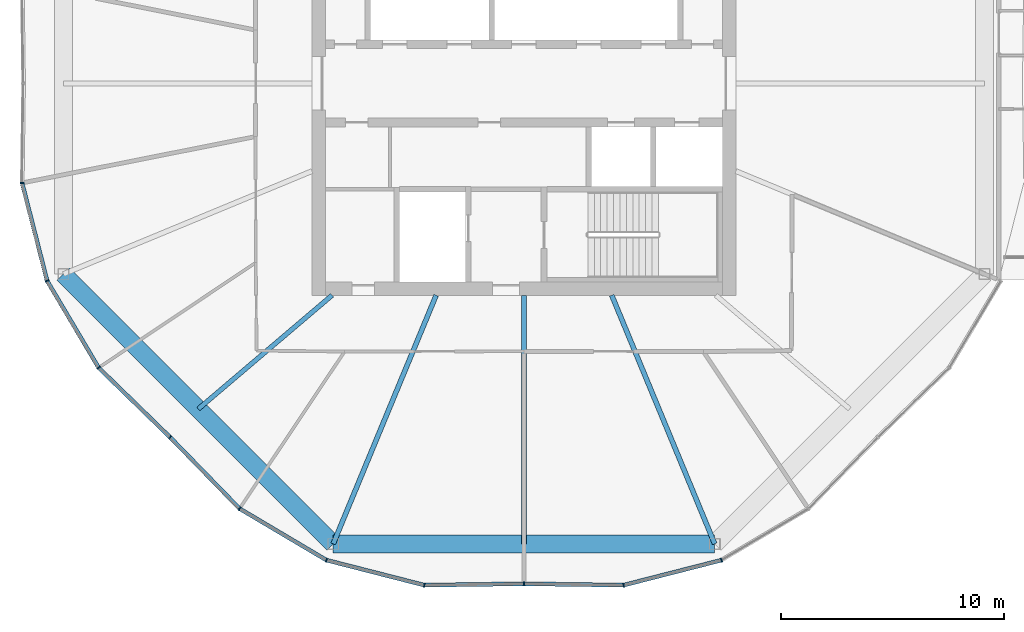
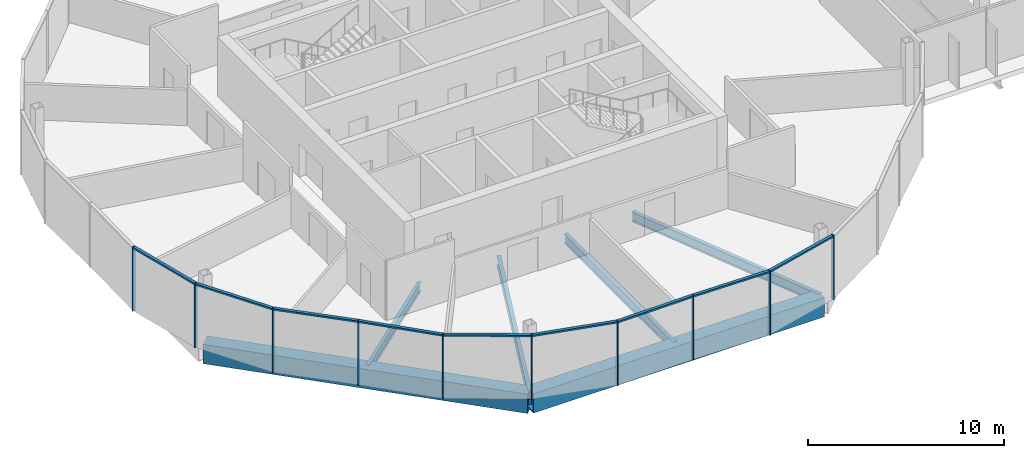
# One storey, part 3 of 26: 19 members, 6 beams, 3 elements without a shape of their own.
"""IFC4 building model written with IfcOpenShell, lengths in metres."""

from ifc_helpers import new_model, si_unit, direction, frame, origin, origin_2d, place, context, subcontext, project, spatial, rectangle, hollow_rectangle, i_section, extrude, material, material_profile, profile_set, type_object, element, aggregate, save


model = new_model("IFC4")

# Units and contexts
model_context = context("Model", 3, precision=1e-05, world=origin(), true_north=direction((0.0, 1.0)))
body_context = subcontext(model_context, "Body", "Model", "MODEL_VIEW")
ifc_project = project(units=[si_unit("LENGTHUNIT", "METRE"), si_unit("AREAUNIT", "SQUARE_METRE"), si_unit("VOLUMEUNIT", "CUBIC_METRE"), si_unit("PLANEANGLEUNIT", "RADIAN"), si_unit("MASSUNIT", "GRAM", prefix="KILO")], contexts=[model_context])

# Site, building, storey
site_placement = place(None, origin())
site = spatial("IfcSite", under=ifc_project, at=site_placement, CompositionType="ELEMENT")
building_placement = place(site_placement, origin())
building = spatial("IfcBuilding", under=site, at=building_placement, Name="Ogive Gate Towers", CompositionType="ELEMENT")
storey_placement = place(building_placement, frame((0.0, 0.0, 156.800048828125)))
storey = spatial("IfcBuildingStorey", under=building, at=storey_placement, Name="L37", CompositionType="ELEMENT", Elevation=156.800048828125)

# Beams
ifc_material_1 = material(Name="Steel SM460", Category="steel")
ifc_material_profile_1 = material_profile(ifc_material_1, hollow_rectangle(XDim=0.800048828125, YDim=1.199951171875, WallThickness=0.050048828125, at=origin_2d()), Name="BX 1200x800x50")
ifc_profile_set_1 = profile_set([ifc_material_profile_1], Name="Steel SM460")
beam_type_1 = type_object("IfcBeamType", Name="Edge girder BX 1200x800x50", PredefinedType="BEAM", material=ifc_profile_set_1)
beam_1_placement = place(storey_placement, frame((-56.639404296875, -8.549072265625, -0.900146484375), z_axis=(0.707106781187, -0.707106781187, 0.0), x_axis=(0.707106781187, 0.707106781187, 0.0)))
element("IfcBeam", 1, at=beam_1_placement, inside=storey, type_object=beam_type_1, Name="T1/L37/SBM017", PredefinedType="BEAM", context=body_context, shape_type="SweptSolid", body=[
    extrude(hollow_rectangle(XDim=0.800048828125, YDim=1.199951171875, WallThickness=0.050048828125, at=origin_2d()), origin(), (0.0, 0.0, 1.0), 17.098388671875),
])
beam_2_placement = place(storey_placement, frame((-44.549072265625, -20.639404296875, -0.900146484375), z_axis=(1.0, 0.0, 0.0), x_axis=(0.0, 1.0, 0.0)))
element("IfcBeam", 2, at=beam_2_placement, inside=storey, type_object=beam_type_1, Name="T1/L37/SBM018", PredefinedType="BEAM", context=body_context, shape_type="SweptSolid", body=[
    extrude(hollow_rectangle(XDim=0.800048828125, YDim=1.199951171875, WallThickness=0.050048828125, at=origin_2d()), origin(), (0.0, 0.0, 1.0), 17.09814453125),
])
ifc_material_2 = material(Name="Steel SM355", Category="steel")
ifc_material_profile_2 = material_profile(ifc_material_2, i_section(OverallWidth=0.2099609375, OverallDepth=0.550048828125, WebThickness=0.010986328125, FlangeThickness=0.01708984375, FilletRadius=0.02392578125, at=origin_2d()), Name="IPE 550")
ifc_profile_set_2 = profile_set([ifc_material_profile_2], Name="Steel SM355")
beam_type_2 = type_object("IfcBeamType", Name="Radial floor beam IPE 550", PredefinedType="BEAM", material=ifc_profile_set_2)
beam_3_placement = place(storey_placement, frame((-44.60009765625, -9.5, -0.574951171875), z_axis=(-0.761988324045, -0.647590761222, 0.0), x_axis=(0.647590761222, -0.761988324045, 0.0)))
element("IfcBeam", 3, at=beam_3_placement, inside=storey, type_object=beam_type_2, Name="T1/L37/SBM002", PredefinedType="BEAM", context=body_context, shape_type="SweptSolid", body=[
    extrude(i_section(OverallWidth=0.2099609375, OverallDepth=0.550048828125, WebThickness=0.010986328125, FlangeThickness=0.01708984375, FilletRadius=0.02392578125, at=origin_2d()), origin(), (0.0, 0.0, 1.0), 7.866455078125),
])
ifc_material_profile_3 = material_profile(ifc_material_2, i_section(OverallWidth=0.219970703125, OverallDepth=0.60009765625, WebThickness=0.011962890625, FlangeThickness=0.01904296875, FilletRadius=0.02392578125, at=origin_2d()), Name="IPE 600")
ifc_profile_set_3 = profile_set([ifc_material_profile_3], Name="Steel SM355")
beam_type_3 = type_object("IfcBeamType", Name="Radial floor beam IPE 600", PredefinedType="BEAM", material=ifc_profile_set_3)
beam_4_placement = place(storey_placement, frame((-39.93505859375, -9.5, -0.60009765625), z_axis=(-0.382677863518, -0.923881839184, 0.0), x_axis=(0.923881839184, -0.382677863518, 0.0)))
element("IfcBeam", 4, at=beam_4_placement, inside=storey, type_object=beam_type_3, Name="T1/L37/SBM003", PredefinedType="BEAM", context=body_context, shape_type="SweptSolid", body=[
    extrude(i_section(OverallWidth=0.219970703125, OverallDepth=0.60009765625, WebThickness=0.011962890625, FlangeThickness=0.01904296875, FilletRadius=0.02392578125, at=origin_2d()), origin(), (0.0, 0.0, 1.0), 12.05712890625),
])
beam_5_placement = place(storey_placement, frame((-36.0, -9.5, -0.60009765625), z_axis=(0.0, -1.0, 0.0), x_axis=(1.0, 0.0, 0.0)))
element("IfcBeam", 5, at=beam_5_placement, inside=storey, type_object=beam_type_3, Name="T1/L37/SBM004", PredefinedType="BEAM", context=body_context, shape_type="SweptSolid", body=[
    extrude(i_section(OverallWidth=0.219970703125, OverallDepth=0.60009765625, WebThickness=0.011962890625, FlangeThickness=0.01904296875, FilletRadius=0.02392578125, at=origin_2d()), origin(), (0.0, 0.0, 1.0), 11.139404296875),
])
beam_6_placement = place(storey_placement, frame((-32.06494140625, -9.5, -0.60009765625), z_axis=(0.382677863518, -0.923881839184, 0.0), x_axis=(0.923881839184, 0.382677863518, 0.0)))
element("IfcBeam", 6, at=beam_6_placement, inside=storey, type_object=beam_type_3, Name="T1/L37/SBM005", PredefinedType="BEAM", context=body_context, shape_type="SweptSolid", body=[
    extrude(i_section(OverallWidth=0.219970703125, OverallDepth=0.60009765625, WebThickness=0.011962890625, FlangeThickness=0.01904296875, FilletRadius=0.02392578125, at=origin_2d()), origin(), (0.0, 0.0, 1.0), 12.05712890625),
])

# Curtain wall, members
ifc_material_3 = material(Name="Pale metal aluminium", Category="aluminium")
curtain_wall_type = type_object("IfcCurtainWallType", Name="Tower unitised wall, high zone", PredefinedType="NOTDEFINED", material=ifc_material_3)
curtain_wall_1_placement = place(storey_placement, origin())
curtain_wall_1 = element("IfcCurtainWall", 7, at=curtain_wall_1_placement, inside=storey, type_object=curtain_wall_type, Name="CW2 T1 ECW05", PredefinedType="NOTDEFINED")
ifc_material_profile_4 = material_profile(ifc_material_3, rectangle(XDim=0.179931640625, YDim=0.06005859375, at=origin_2d()), Name="60 x 180 aluminium box")
ifc_profile_set_4 = profile_set([ifc_material_profile_4], Name="Pale metal aluminium")
member_type_1 = type_object("IfcMemberType", Name="Tower unitised wall, high zone mullion 60 x 180", PredefinedType="MULLION", material=ifc_profile_set_4)
member_1_placement = place(storey_placement, frame((-58.491455078125, -4.466552734375, -0.300048828125), z_axis=(0.0, 0.0, 1.0), x_axis=(-0.9930129585, -0.118005356875, 0.0)))
member_1 = element("IfcMember", 8, at=member_1_placement, type_object=member_type_1, Name="CW2 mullion", PredefinedType="MULLION", context=body_context, shape_type="SweptSolid", body=[
    extrude(rectangle(XDim=0.179931640625, YDim=0.06005859375, at=origin_2d()), origin(), (0.0, 0.0, 1.0), 4.0),
])
member_2_placement = place(storey_placement, frame((-57.370361328125, -8.851806640625, -0.300048828125), z_axis=(0.0, 0.0, 1.0), x_axis=(-0.923879532511, -0.382683432365, 0.0)))
member_2 = element("IfcMember", 9, at=member_2_placement, type_object=member_type_1, Name="CW2 mullion", PredefinedType="MULLION", context=body_context, shape_type="SweptSolid", body=[
    extrude(rectangle(XDim=0.179931640625, YDim=0.06005859375, at=origin_2d()), origin(), (0.0, 0.0, 1.0), 4.0),
])
member_3_placement = place(storey_placement, frame((-55.06201171875, -12.745361328125, -0.300048828125), z_axis=(0.0, 0.0, 1.0), x_axis=(-0.785619383472, -0.618710097148, 0.0)))
member_3 = element("IfcMember", 10, at=member_3_placement, type_object=member_type_1, Name="CW2 mullion", PredefinedType="MULLION", context=body_context, shape_type="SweptSolid", body=[
    extrude(rectangle(XDim=0.179931640625, YDim=0.06005859375, at=origin_2d()), origin(), (0.0, 0.0, 1.0), 4.0),
])
member_4_placement = place(storey_placement, frame((-51.860595703125, -15.8603515625, -0.300048828125), z_axis=(0.0, 0.0, 1.0), x_axis=(-0.697352765719, -0.716728065687, 0.0)))
member_4 = element("IfcMember", 11, at=member_4_placement, type_object=member_type_1, Name="CW2 mullion", PredefinedType="MULLION", context=body_context, shape_type="SweptSolid", body=[
    extrude(rectangle(XDim=0.179931640625, YDim=0.06005859375, at=origin_2d()), origin(), (0.0, 0.0, 1.0), 4.0),
])

curtain_wall_2_placement = place(storey_placement, origin())
curtain_wall_2 = element("IfcCurtainWall", 12, at=curtain_wall_2_placement, inside=storey, type_object=curtain_wall_type, Name="CW2 T1 ECW06", PredefinedType="NOTDEFINED")
member_5_placement = place(storey_placement, frame((-48.745361328125, -19.06201171875, -0.300048828125), z_axis=(0.0, 0.0, 1.0), x_axis=(-0.618710097148, -0.785619383472, 0.0)))
member_5 = element("IfcMember", 13, at=member_5_placement, type_object=member_type_1, Name="CW2 mullion", PredefinedType="MULLION", context=body_context, shape_type="SweptSolid", body=[
    extrude(rectangle(XDim=0.179931640625, YDim=0.06005859375, at=origin_2d()), origin(), (0.0, 0.0, 1.0), 4.0),
])
member_6_placement = place(storey_placement, frame((-44.851806640625, -21.370361328125, -0.300048828125), z_axis=(0.0, 0.0, 1.0), x_axis=(-0.382683432365, -0.923879532511, 0.0)))
member_6 = element("IfcMember", 14, at=member_6_placement, type_object=member_type_1, Name="CW2 mullion", PredefinedType="MULLION", context=body_context, shape_type="SweptSolid", body=[
    extrude(rectangle(XDim=0.179931640625, YDim=0.06005859375, at=origin_2d()), origin(), (0.0, 0.0, 1.0), 4.0),
])
member_7_placement = place(storey_placement, frame((-40.466552734375, -22.491455078125, -0.300048828125), z_axis=(0.0, 0.0, 1.0), x_axis=(-0.118005356875, -0.9930129585, 0.0)))
member_7 = element("IfcMember", 15, at=member_7_placement, type_object=member_type_1, Name="CW2 mullion", PredefinedType="MULLION", context=body_context, shape_type="SweptSolid", body=[
    extrude(rectangle(XDim=0.179931640625, YDim=0.06005859375, at=origin_2d()), origin(), (0.0, 0.0, 1.0), 4.0),
])
member_8_placement = place(storey_placement, frame((-36.0, -22.429931640625, -0.300048828125), z_axis=(0.0, 0.0, 1.0), x_axis=(0.013717857647, -0.999905905764, 0.0)))
member_8 = element("IfcMember", 16, at=member_8_placement, type_object=member_type_1, Name="CW2 mullion", PredefinedType="MULLION", context=body_context, shape_type="SweptSolid", body=[
    extrude(rectangle(XDim=0.179931640625, YDim=0.06005859375, at=origin_2d()), origin(), (0.0, 0.0, 1.0), 4.0),
])

curtain_wall_3_placement = place(storey_placement, origin())
curtain_wall_3 = element("IfcCurtainWall", 17, at=curtain_wall_3_placement, inside=storey, type_object=curtain_wall_type, Name="CW2 T1 ECW07", PredefinedType="NOTDEFINED")
member_9_placement = place(storey_placement, frame((-31.533447265625, -22.491455078125, -0.300048828125), z_axis=(0.0, 0.0, 1.0), x_axis=(0.118005356875, -0.9930129585, 0.0)))
member_9 = element("IfcMember", 18, at=member_9_placement, type_object=member_type_1, Name="CW2 mullion", PredefinedType="MULLION", context=body_context, shape_type="SweptSolid", body=[
    extrude(rectangle(XDim=0.179931640625, YDim=0.06005859375, at=origin_2d()), origin(), (0.0, 0.0, 1.0), 4.0),
])
member_10_placement = place(storey_placement, frame((-27.148193359375, -21.370361328125, -0.300048828125), z_axis=(0.0, 0.0, 1.0), x_axis=(0.382683432365, -0.923879532511, 0.0)))
member_10 = element("IfcMember", 19, at=member_10_placement, type_object=member_type_1, Name="CW2 mullion", PredefinedType="MULLION", context=body_context, shape_type="SweptSolid", body=[
    extrude(rectangle(XDim=0.179931640625, YDim=0.06005859375, at=origin_2d()), origin(), (0.0, 0.0, 1.0), 4.0),
])

# Member
ifc_material_profile_5 = material_profile(ifc_material_3, rectangle(XDim=0.179931640625, YDim=0.10009765625, at=origin_2d()), Name="100 x 180 aluminium box")
ifc_profile_set_5 = profile_set([ifc_material_profile_5], Name="Pale metal aluminium")
member_type_2 = type_object("IfcMemberType", Name="Tower unitised wall, high zone transom 100 x 180", PredefinedType="USERDEFINED", material=ifc_profile_set_5)
member_11_placement = place(storey_placement, frame((-58.484130859375, -4.494384765625, 3.64990234375), z_axis=(0.247686581529, -0.968840212486, 0.0), x_axis=(0.968840212486, 0.247686581529, 0.0)))
member_11 = element("IfcMember", 20, at=member_11_placement, type_object=member_type_2, Name="CW2 transom", ObjectType="TRANSOM", PredefinedType="USERDEFINED", context=body_context, shape_type="SweptSolid", body=[
    extrude(rectangle(XDim=0.179931640625, YDim=0.10009765625, at=origin_2d()), origin(), (0.0, 0.0, 1.0), 4.468994140625),
])

member_12_placement = place(storey_placement, frame((-57.355712890625, -8.87646484375, 3.64990234375), z_axis=(0.50996560384, -0.860194793579, 0.0), x_axis=(0.860194793579, 0.50996560384, 0.0)))
member_12 = element("IfcMember", 21, at=member_12_placement, type_object=member_type_2, Name="CW2 transom", ObjectType="TRANSOM", PredefinedType="USERDEFINED", context=body_context, shape_type="SweptSolid", body=[
    extrude(rectangle(XDim=0.179931640625, YDim=0.10009765625, at=origin_2d()), origin(), (0.0, 0.0, 1.0), 4.468994140625),
])

member_13_placement = place(storey_placement, frame((-55.04150390625, -12.765380859375, 3.64990234375), z_axis=(0.716732664318, -0.697348039288, 0.0), x_axis=(0.697348039288, 0.716732664318, 0.0)))
member_13 = element("IfcMember", 22, at=member_13_placement, type_object=member_type_2, Name="CW2 transom", ObjectType="TRANSOM", PredefinedType="USERDEFINED", context=body_context, shape_type="SweptSolid", body=[
    extrude(rectangle(XDim=0.179931640625, YDim=0.10009765625, at=origin_2d()), origin(), (0.0, 0.0, 1.0), 4.408203125),
])

aggregate(curtain_wall_1, [member_1, member_2, member_11, member_3, member_12, member_4, member_13])

member_14_placement = place(storey_placement, frame((-51.83935546875, -15.882080078125, 3.64990234375), z_axis=(0.697348039288, -0.716732664318, 0.0), x_axis=(0.716732664318, 0.697348039288, 0.0)))
member_14 = element("IfcMember", 23, at=member_14_placement, type_object=member_type_2, Name="CW2 transom", ObjectType="TRANSOM", PredefinedType="USERDEFINED", context=body_context, shape_type="SweptSolid", body=[
    extrude(rectangle(XDim=0.179931640625, YDim=0.10009765625, at=origin_2d()), origin(), (0.0, 0.0, 1.0), 4.408203125),
])

member_15_placement = place(storey_placement, frame((-48.720703125, -19.07666015625, 3.64990234375), z_axis=(0.860194793579, -0.50996560384, 0.0), x_axis=(0.50996560384, 0.860194793579, 0.0)))
member_15 = element("IfcMember", 24, at=member_15_placement, type_object=member_type_2, Name="CW2 transom", ObjectType="TRANSOM", PredefinedType="USERDEFINED", context=body_context, shape_type="SweptSolid", body=[
    extrude(rectangle(XDim=0.179931640625, YDim=0.10009765625, at=origin_2d()), origin(), (0.0, 0.0, 1.0), 4.468994140625),
])

member_16_placement = place(storey_placement, frame((-44.82421875, -21.377197265625, 3.64990234375), z_axis=(0.968840212486, -0.247686581529, 0.0), x_axis=(0.247686581529, 0.968840212486, 0.0)))
member_16 = element("IfcMember", 25, at=member_16_placement, type_object=member_type_2, Name="CW2 transom", ObjectType="TRANSOM", PredefinedType="USERDEFINED", context=body_context, shape_type="SweptSolid", body=[
    extrude(rectangle(XDim=0.179931640625, YDim=0.10009765625, at=origin_2d()), origin(), (0.0, 0.0, 1.0), 4.468994140625),
])

member_17_placement = place(storey_placement, frame((-40.43798828125, -22.490966796875, 3.64990234375), z_axis=(0.999905677146, 0.013734511655, 0.0), x_axis=(-0.013734511655, 0.999905677146, 0.0)))
member_17 = element("IfcMember", 26, at=member_17_placement, type_object=member_type_2, Name="CW2 transom", ObjectType="TRANSOM", PredefinedType="USERDEFINED", context=body_context, shape_type="SweptSolid", body=[
    extrude(rectangle(XDim=0.179931640625, YDim=0.10009765625, at=origin_2d()), origin(), (0.0, 0.0, 1.0), 4.408447265625),
])

aggregate(curtain_wall_2, [member_5, member_14, member_6, member_15, member_7, member_16, member_8, member_17])

member_18_placement = place(storey_placement, frame((-35.969970703125, -22.430419921875, 3.64990234375), z_axis=(0.999905677146, -0.013734511655, 0.0), x_axis=(0.013734511655, 0.999905677146, 0.0)))
member_18 = element("IfcMember", 27, at=member_18_placement, type_object=member_type_2, Name="CW2 transom", ObjectType="TRANSOM", PredefinedType="USERDEFINED", context=body_context, shape_type="SweptSolid", body=[
    extrude(rectangle(XDim=0.179931640625, YDim=0.10009765625, at=origin_2d()), origin(), (0.0, 0.0, 1.0), 4.408447265625),
])

member_19_placement = place(storey_placement, frame((-31.505615234375, -22.484130859375, 3.64990234375), z_axis=(0.968840212486, 0.247686581529, 0.0), x_axis=(-0.247686581529, 0.968840212486, 0.0)))
member_19 = element("IfcMember", 28, at=member_19_placement, type_object=member_type_2, Name="CW2 transom", ObjectType="TRANSOM", PredefinedType="USERDEFINED", context=body_context, shape_type="SweptSolid", body=[
    extrude(rectangle(XDim=0.179931640625, YDim=0.10009765625, at=origin_2d()), origin(), (0.0, 0.0, 1.0), 4.468994140625),
])

aggregate(curtain_wall_3, [member_9, member_18, member_10, member_19])

save(model, "model.ifc")
